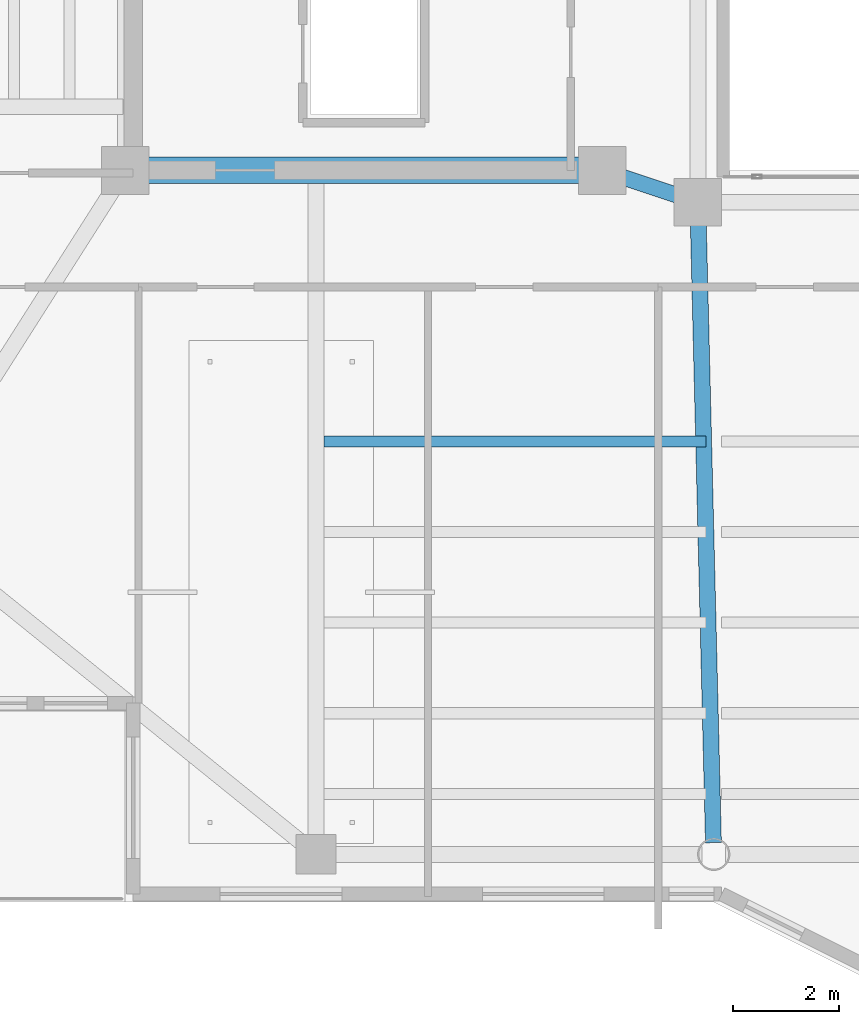
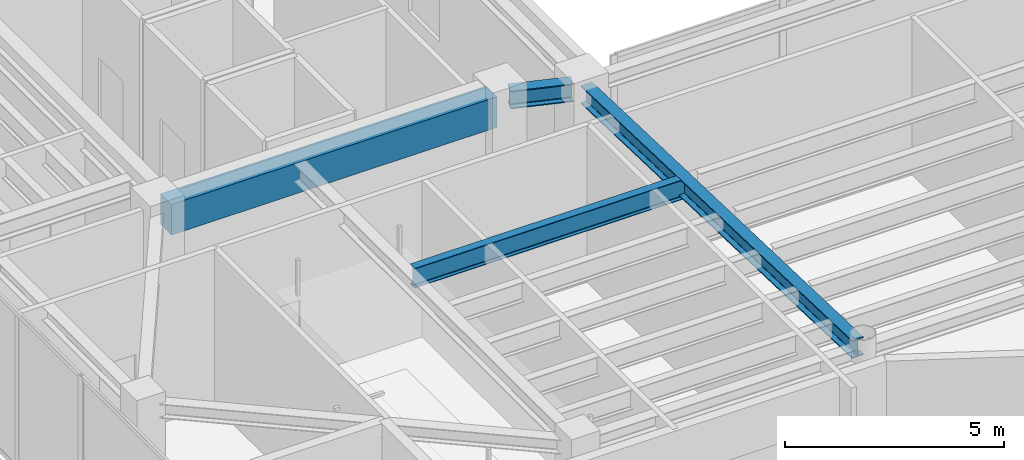
# One storey, part 4 of 34: 4 beams.
"""IFC4 building model written with IfcOpenShell, lengths in metres."""

from ifc_helpers import new_model, si_unit, direction, frame, origin, origin_2d, place, context, subcontext, project, spatial, rectangle, i_section, extrude, material, material_profile, profile_set, type_object, element, save


model = new_model("IFC4")

# Units and contexts
model_context = context("Model", 3, precision=1e-05, world=origin(), true_north=direction((0.0, 1.0)))
body_context = subcontext(model_context, "Body", "Model", "MODEL_VIEW")
ifc_project = project(units=[si_unit("LENGTHUNIT", "METRE"), si_unit("AREAUNIT", "SQUARE_METRE"), si_unit("VOLUMEUNIT", "CUBIC_METRE"), si_unit("PLANEANGLEUNIT", "RADIAN"), si_unit("MASSUNIT", "GRAM", prefix="KILO")], contexts=[model_context])

# Site, building, storey
site_placement = place(None, origin())
site = spatial("IfcSite", under=ifc_project, at=site_placement, CompositionType="ELEMENT")
building_placement = place(site_placement, origin())
building = spatial("IfcBuilding", under=site, at=building_placement, Name="Tarnavaz Court Tower", CompositionType="ELEMENT")
storey_placement = place(building_placement, frame((0.0, 0.0, 231.75)))
storey = spatial("IfcBuildingStorey", under=building, at=storey_placement, Name="L63", CompositionType="ELEMENT", Elevation=231.75)

# Beams
ifc_material_1 = material(Name="Concrete C50/60", Category="concrete")
ifc_material_profile_1 = material_profile(ifc_material_1, rectangle(XDim=0.5, YDim=0.85009765625, at=origin_2d()), Name="RC 500X850")
ifc_profile_set_1 = profile_set([ifc_material_profile_1], Name="Concrete C50/60")
beam_type_1 = type_object("IfcBeamType", Name="BM-CB850", PredefinedType="LINTEL", material=ifc_profile_set_1)
beam_1_placement = place(storey_placement, frame((-18.3798828125, -7.199951171875, 3.925048828125), z_axis=(1.0, 0.0, 0.0), x_axis=(0.0, 1.0, 0.0)))
element("IfcBeam", 1, at=beam_1_placement, inside=storey, type_object=beam_type_1, Name="L63 Beam IN-CW-SO-CW-SI", PredefinedType="LINTEL", context=body_context, shape_type="SweptSolid", body=[
    extrude(rectangle(XDim=0.5, YDim=0.85009765625, at=origin_2d()), origin(), (0.0, 0.0, 1.0), 8.559814453125),
])
ifc_material_2 = material(Name="Steel S355", Category="steel")
ifc_material_profile_2 = material_profile(ifc_material_2, i_section(OverallWidth=0.300048828125, OverallDepth=0.5, WebThickness=0.014404296875, FlangeThickness=0.028076171875, FilletRadius=0.027099609375, at=origin_2d()), Name="HEB 500")
ifc_profile_set_2 = profile_set([ifc_material_profile_2], Name="Steel S355")
beam_type_2 = type_object("IfcBeamType", Name="BM-G-HEB500", PredefinedType="USERDEFINED", material=ifc_profile_set_2)
beam_2_placement = place(storey_placement, frame((-9.391357421875, -7.26953125, 4.10009765625), z_axis=(0.948666544706, -0.316278021615, 0.0), x_axis=(0.316278021615, 0.948666544706, 0.0)))
element("IfcBeam", 2, at=beam_2_placement, inside=storey, type_object=beam_type_2, Name="L63 Beam IN-CW-SI-IW-SW", ObjectType="GIRDER", PredefinedType="USERDEFINED", context=body_context, shape_type="SweptSolid", body=[
    extrude(i_section(OverallWidth=0.300048828125, OverallDepth=0.5, WebThickness=0.014404296875, FlangeThickness=0.028076171875, FilletRadius=0.027099609375, at=origin_2d()), origin(), (0.0, 0.0, 1.0), 1.457275390625),
])
beam_3_placement = place(storey_placement, frame((-7.794677734375, -8.02001953125, 4.10009765625), z_axis=(0.024386002211, -0.99970261723, 0.0), x_axis=(0.99970261723, 0.024386002211, 0.0)))
element("IfcBeam", 3, at=beam_3_placement, inside=storey, type_object=beam_type_2, Name="L63 Beam RG-06", ObjectType="GIRDER", PredefinedType="USERDEFINED", context=body_context, shape_type="SweptSolid", body=[
    extrude(i_section(OverallWidth=0.300048828125, OverallDepth=0.5, WebThickness=0.014404296875, FlangeThickness=0.028076171875, FilletRadius=0.027099609375, at=origin_2d()), origin(), (0.0, 0.0, 1.0), 11.863525390625),
])
ifc_material_profile_3 = material_profile(ifc_material_2, i_section(OverallWidth=0.2099609375, OverallDepth=0.550048828125, WebThickness=0.010986328125, FlangeThickness=0.01708984375, FilletRadius=0.02392578125, at=origin_2d()), Name="IPE 550")
ifc_profile_set_3 = profile_set([ifc_material_profile_3], Name="Steel S355")
beam_type_3 = type_object("IfcBeamType", Name="BM-J-IPE550", PredefinedType="JOIST", material=ifc_profile_set_3)
beam_4_placement = place(storey_placement, frame((-14.85009765625, -12.31005859375, 4.074951171875), z_axis=(1.0, 0.0, 0.0), x_axis=(0.0, 1.0, 0.0)))
element("IfcBeam", 4, at=beam_4_placement, inside=storey, type_object=beam_type_3, Name="L63 Beam JS1-1", PredefinedType="JOIST", context=body_context, shape_type="SweptSolid", body=[
    extrude(i_section(OverallWidth=0.2099609375, OverallDepth=0.550048828125, WebThickness=0.010986328125, FlangeThickness=0.01708984375, FilletRadius=0.02392578125, at=origin_2d()), origin(), (0.0, 0.0, 1.0), 7.2001953125),
])

save(model, "model.ifc")
